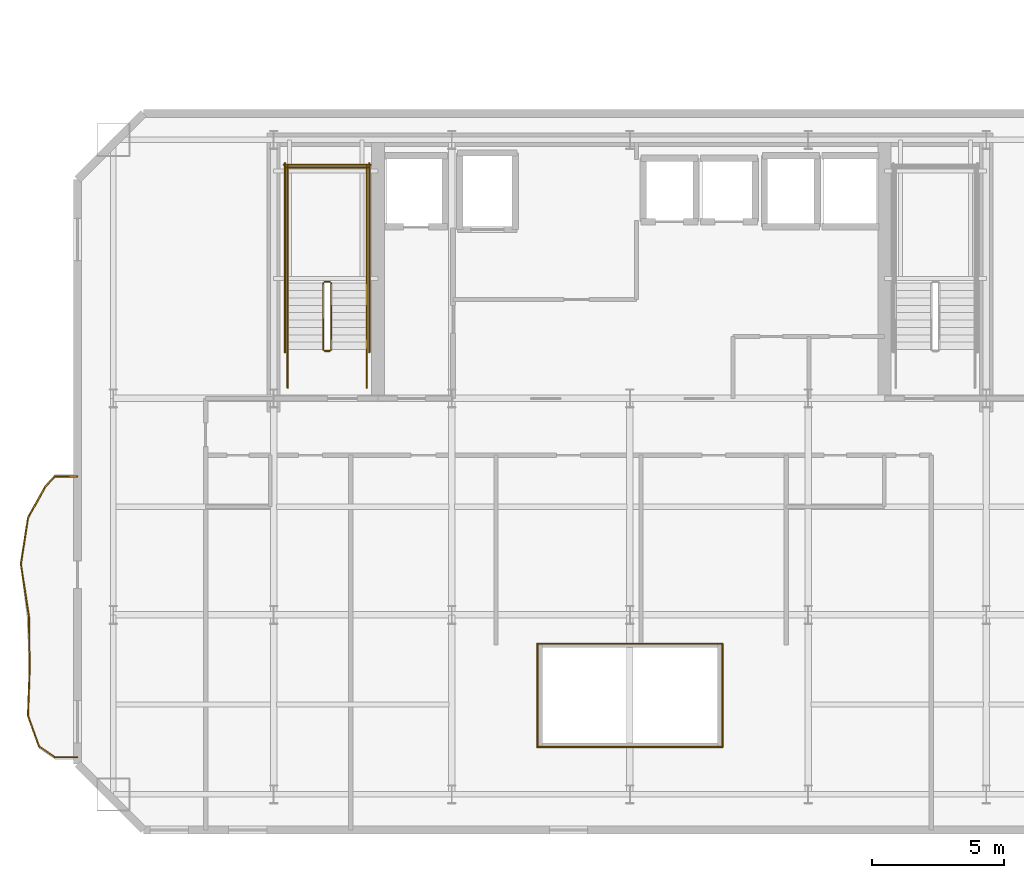
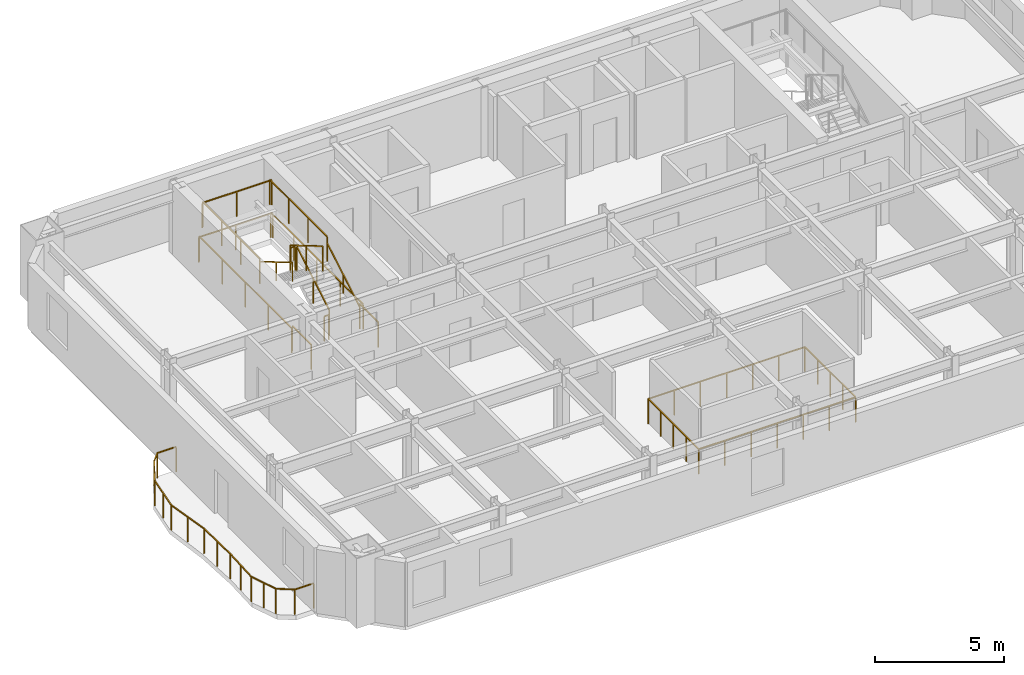
# One storey, part 10 of 13: 28 railings.
"""IFC4 building model written with IfcOpenShell, lengths in metres."""

from ifc_helpers import new_model, si_unit, direction, frame, origin, origin_2d, place, context, subcontext, project, spatial, rectangle, extrude, material, type_object, element, save


model = new_model("IFC4")

# Units and contexts
model_context = context("Model", 3, precision=1e-05, world=origin(), true_north=direction((0.0, 1.0)))
body_context = subcontext(model_context, "Body", "Model", "MODEL_VIEW")
ifc_project = project(units=[si_unit("LENGTHUNIT", "METRE"), si_unit("AREAUNIT", "SQUARE_METRE"), si_unit("VOLUMEUNIT", "CUBIC_METRE"), si_unit("PLANEANGLEUNIT", "RADIAN"), si_unit("MASSUNIT", "GRAM", prefix="KILO")], contexts=[model_context])

# Site, building, storey
site_placement = place(None, origin())
site = spatial("IfcSite", under=ifc_project, at=site_placement, CompositionType="ELEMENT")
building_placement = place(site_placement, origin())
building = spatial("IfcBuilding", under=site, at=building_placement, Name="Haevon Station Towers", CompositionType="ELEMENT")
storey_placement = place(building_placement, frame((0.0, 0.0, 159.300048828125)))
storey = spatial("IfcBuildingStorey", under=building, at=storey_placement, Name="L43", CompositionType="ELEMENT", Elevation=159.300048828125)

# Railings
ifc_material = material(Name="Steel S355", Category="steel")
railing_type_1 = type_object("IfcRailingType", Name="BAL-ATR1200", PredefinedType="BALUSTRADE", material=ifc_material)
railing_1_placement = place(storey_placement, frame((33.995361328125, 24.991455078125, 0.0)))
element("IfcRailing", 1, at=railing_1_placement, inside=storey, type_object=railing_type_1, Name="L43 Atrium Void Balustrade 1", PredefinedType="BALUSTRADE", context=body_context, shape_type="SweptSolid", body=[
    extrude(rectangle(XDim=0.048095703125, YDim=0.048095703125, at=origin_2d()), frame((0.0, 0.0, 1.17578125), z_axis=(1.0, 0.0, 0.0), x_axis=(0.0, 1.0, 0.0)), (0.0, 0.0, 1.0), 7.00927734375),
    extrude(rectangle(XDim=0.0419921875, YDim=0.0419921875, at=origin_2d()), origin(), (0.0, 0.0, 1.0), 1.15185546875),
    extrude(rectangle(XDim=0.0419921875, YDim=0.0419921875, at=origin_2d()), frame((1.168212890625, 0.0, 0.0)), (0.0, 0.0, 1.0), 1.15185546875),
    extrude(rectangle(XDim=0.0419921875, YDim=0.0419921875, at=origin_2d()), frame((2.33642578125, 0.0, 0.0)), (0.0, 0.0, 1.0), 1.15185546875),
    extrude(rectangle(XDim=0.0419921875, YDim=0.0419921875, at=origin_2d()), frame((3.504638671875, 0.0, 0.0)), (0.0, 0.0, 1.0), 1.15185546875),
    extrude(rectangle(XDim=0.0419921875, YDim=0.0419921875, at=origin_2d()), frame((4.6728515625, 0.0, 0.0)), (0.0, 0.0, 1.0), 1.15185546875),
    extrude(rectangle(XDim=0.0419921875, YDim=0.0419921875, at=origin_2d()), frame((5.841064453125, 0.0, 0.0)), (0.0, 0.0, 1.0), 1.15185546875),
    extrude(rectangle(XDim=0.0419921875, YDim=0.0419921875, at=origin_2d()), frame((7.00927734375, 0.0, 0.0)), (0.0, 0.0, 1.0), 1.15185546875),
])
railing_2_placement = place(storey_placement, frame((41.004638671875, 24.991455078125, 0.0)))
element("IfcRailing", 2, at=railing_2_placement, inside=storey, type_object=railing_type_1, Name="L43 Atrium Void Balustrade 2", PredefinedType="BALUSTRADE", context=body_context, shape_type="SweptSolid", body=[
    extrude(rectangle(XDim=0.048095703125, YDim=0.048095703125, at=origin_2d()), frame((0.0, 0.0, 1.17578125), z_axis=(0.0, 1.0, 0.0), x_axis=(-1.0, 0.0, 0.0)), (0.0, 0.0, 1.0), 3.9169921875),
    extrude(rectangle(XDim=0.0419921875, YDim=0.0419921875, at=origin_2d()), origin(), (0.0, 0.0, 1.0), 1.15185546875),
    extrude(rectangle(XDim=0.0419921875, YDim=0.0419921875, at=origin_2d()), frame((0.0, 0.979248046875, 0.0)), (0.0, 0.0, 1.0), 1.15185546875),
    extrude(rectangle(XDim=0.0419921875, YDim=0.0419921875, at=origin_2d()), frame((0.0, 1.95849609375, 0.0)), (0.0, 0.0, 1.0), 1.15185546875),
    extrude(rectangle(XDim=0.0419921875, YDim=0.0419921875, at=origin_2d()), frame((0.0, 2.937744140625, 0.0)), (0.0, 0.0, 1.0), 1.15185546875),
    extrude(rectangle(XDim=0.0419921875, YDim=0.0419921875, at=origin_2d()), frame((0.0, 3.9169921875, 0.0)), (0.0, 0.0, 1.0), 1.15185546875),
])
railing_3_placement = place(storey_placement, frame((41.004638671875, 28.908447265625, 0.0)))
element("IfcRailing", 3, at=railing_3_placement, inside=storey, type_object=railing_type_1, Name="L43 Atrium Void Balustrade 3", PredefinedType="BALUSTRADE", context=body_context, shape_type="SweptSolid", body=[
    extrude(rectangle(XDim=0.048095703125, YDim=0.048095703125, at=origin_2d()), frame((0.0, 0.0, 1.17578125), z_axis=(-1.0, 0.0, 0.0), x_axis=(0.0, -1.0, 0.0)), (0.0, 0.0, 1.0), 7.00927734375),
    extrude(rectangle(XDim=0.0419921875, YDim=0.0419921875, at=origin_2d()), origin(), (0.0, 0.0, 1.0), 1.15185546875),
    extrude(rectangle(XDim=0.0419921875, YDim=0.0419921875, at=origin_2d()), frame((-1.168212890625, 0.0, 0.0)), (0.0, 0.0, 1.0), 1.15185546875),
    extrude(rectangle(XDim=0.0419921875, YDim=0.0419921875, at=origin_2d()), frame((-2.33642578125, 0.0, 0.0)), (0.0, 0.0, 1.0), 1.15185546875),
    extrude(rectangle(XDim=0.0419921875, YDim=0.0419921875, at=origin_2d()), frame((-3.504638671875, 0.0, 0.0)), (0.0, 0.0, 1.0), 1.15185546875),
    extrude(rectangle(XDim=0.0419921875, YDim=0.0419921875, at=origin_2d()), frame((-4.6728515625, 0.0, 0.0)), (0.0, 0.0, 1.0), 1.15185546875),
    extrude(rectangle(XDim=0.0419921875, YDim=0.0419921875, at=origin_2d()), frame((-5.841064453125, 0.0, 0.0)), (0.0, 0.0, 1.0), 1.15185546875),
    extrude(rectangle(XDim=0.0419921875, YDim=0.0419921875, at=origin_2d()), frame((-7.00927734375, 0.0, 0.0)), (0.0, 0.0, 1.0), 1.15185546875),
])
railing_4_placement = place(storey_placement, frame((33.995361328125, 28.908447265625, 0.0)))
element("IfcRailing", 4, at=railing_4_placement, inside=storey, type_object=railing_type_1, Name="L43 Atrium Void Balustrade 4", PredefinedType="BALUSTRADE", context=body_context, shape_type="SweptSolid", body=[
    extrude(rectangle(XDim=0.048095703125, YDim=0.048095703125, at=origin_2d()), frame((0.0, 0.0, 1.17578125), z_axis=(0.0, -1.0, 0.0), x_axis=(1.0, 0.0, 0.0)), (0.0, 0.0, 1.0), 3.9169921875),
    extrude(rectangle(XDim=0.0419921875, YDim=0.0419921875, at=origin_2d()), origin(), (0.0, 0.0, 1.0), 1.15185546875),
    extrude(rectangle(XDim=0.0419921875, YDim=0.0419921875, at=origin_2d()), frame((0.0, -0.979248046875, 0.0)), (0.0, 0.0, 1.0), 1.15185546875),
    extrude(rectangle(XDim=0.0419921875, YDim=0.0419921875, at=origin_2d()), frame((0.0, -1.95849609375, 0.0)), (0.0, 0.0, 1.0), 1.15185546875),
    extrude(rectangle(XDim=0.0419921875, YDim=0.0419921875, at=origin_2d()), frame((0.0, -2.937744140625, 0.0)), (0.0, 0.0, 1.0), 1.15185546875),
    extrude(rectangle(XDim=0.0419921875, YDim=0.0419921875, at=origin_2d()), frame((0.0, -3.9169921875, 0.0)), (0.0, 0.0, 1.0), 1.15185546875),
])
railing_type_2 = type_object("IfcRailingType", Name="GRD-EXT1200", PredefinedType="GUARDRAIL", material=ifc_material)
railing_5_placement = place(storey_placement, frame((16.551513671875, 35.2470703125, 0.0)))
element("IfcRailing", 5, at=railing_5_placement, inside=storey, type_object=railing_type_2, Name="L43 Perimeter Guardrail 1", PredefinedType="GUARDRAIL", context=body_context, shape_type="SweptSolid", body=[
    extrude(rectangle(XDim=0.048095703125, YDim=0.048095703125, at=origin_2d()), frame((0.0, 0.0, 1.17578125), z_axis=(-0.999997919967, -0.002039622797, 0.0), x_axis=(0.002039622797, -0.999997919967, 0.0)), (0.0, 0.0, 1.0), 0.837890625),
    extrude(rectangle(XDim=0.0419921875, YDim=0.0419921875, at=origin_2d()), origin(), (0.0, 0.0, 1.0), 1.15185546875),
    extrude(rectangle(XDim=0.0419921875, YDim=0.0419921875, at=origin_2d()), frame((-0.837890625, -0.001708984375, 0.0)), (0.0, 0.0, 1.0), 1.15185546875),
])
railing_6_placement = place(storey_placement, frame((15.713623046875, 35.245361328125, 0.0)))
element("IfcRailing", 6, at=railing_6_placement, inside=storey, type_object=railing_type_2, Name="L43 Perimeter Guardrail 2", PredefinedType="GUARDRAIL", context=body_context, shape_type="SweptSolid", body=[
    extrude(rectangle(XDim=0.048095703125, YDim=0.048095703125, at=origin_2d()), frame((0.0, 0.0, 1.17578125), z_axis=(-0.676061194254, -0.736845480154, 0.0), x_axis=(0.736845480154, -0.676061194254, 0.0)), (0.0, 0.0, 1.0), 0.558349609375),
    extrude(rectangle(XDim=0.0419921875, YDim=0.0419921875, at=origin_2d()), origin(), (0.0, 0.0, 1.0), 1.15185546875),
    extrude(rectangle(XDim=0.0419921875, YDim=0.0419921875, at=origin_2d()), frame((-0.37744140625, -0.411376953125, 0.0)), (0.0, 0.0, 1.0), 1.15185546875),
])
railing_7_placement = place(storey_placement, frame((15.336181640625, 34.833984375, 0.0)))
element("IfcRailing", 7, at=railing_7_placement, inside=storey, type_object=railing_type_2, Name="L43 Perimeter Guardrail 3", PredefinedType="GUARDRAIL", context=body_context, shape_type="SweptSolid", body=[
    extrude(rectangle(XDim=0.048095703125, YDim=0.048095703125, at=origin_2d()), frame((0.0, 0.0, 1.17578125), z_axis=(-0.483314021396, -0.875447061062, 0.0), x_axis=(0.875447061062, -0.483314021396, 0.0)), (0.0, 0.0, 1.0), 1.336181640625),
    extrude(rectangle(XDim=0.0419921875, YDim=0.0419921875, at=origin_2d()), origin(), (0.0, 0.0, 1.0), 1.15185546875),
    extrude(rectangle(XDim=0.0419921875, YDim=0.0419921875, at=origin_2d()), frame((-0.32275390625, -0.5849609375, 0.0)), (0.0, 0.0, 1.0), 1.15185546875),
    extrude(rectangle(XDim=0.0419921875, YDim=0.0419921875, at=origin_2d()), frame((-0.645751953125, -1.169677734375, 0.0)), (0.0, 0.0, 1.0), 1.15185546875),
])
railing_8_placement = place(storey_placement, frame((14.6904296875, 33.664306640625, 0.0)))
element("IfcRailing", 8, at=railing_8_placement, inside=storey, type_object=railing_type_2, Name="L43 Perimeter Guardrail 4", PredefinedType="GUARDRAIL", context=body_context, shape_type="SweptSolid", body=[
    extrude(rectangle(XDim=0.048095703125, YDim=0.048095703125, at=origin_2d()), frame((0.0, 0.0, 1.17578125), z_axis=(-0.151319853564, -0.988484851638, 0.0), x_axis=(0.988484851638, -0.151319853564, 0.0)), (0.0, 0.0, 1.0), 1.7666015625),
    extrude(rectangle(XDim=0.0419921875, YDim=0.0419921875, at=origin_2d()), origin(), (0.0, 0.0, 1.0), 1.15185546875),
    extrude(rectangle(XDim=0.0419921875, YDim=0.0419921875, at=origin_2d()), frame((-0.1337890625, -0.873046875, 0.0)), (0.0, 0.0, 1.0), 1.15185546875),
    extrude(rectangle(XDim=0.0419921875, YDim=0.0419921875, at=origin_2d()), frame((-0.267333984375, -1.746337890625, 0.0)), (0.0, 0.0, 1.0), 1.15185546875),
])
railing_9_placement = place(storey_placement, frame((14.423095703125, 31.91796875, 0.0)))
element("IfcRailing", 9, at=railing_9_placement, inside=storey, type_object=railing_type_2, Name="L43 Perimeter Guardrail 5", PredefinedType="GUARDRAIL", context=body_context, shape_type="SweptSolid", body=[
    extrude(rectangle(XDim=0.048095703125, YDim=0.048095703125, at=origin_2d()), frame((0.0, 0.0, 1.17578125), z_axis=(0.151957098887, -0.988387090212, 0.0), x_axis=(0.988387090212, 0.151957098887, 0.0)), (0.0, 0.0, 1.0), 2.016357421875),
    extrude(rectangle(XDim=0.0419921875, YDim=0.0419921875, at=origin_2d()), origin(), (0.0, 0.0, 1.0), 1.15185546875),
    extrude(rectangle(XDim=0.0419921875, YDim=0.0419921875, at=origin_2d()), frame((0.1533203125, -0.99658203125, 0.0)), (0.0, 0.0, 1.0), 1.15185546875),
    extrude(rectangle(XDim=0.0419921875, YDim=0.0419921875, at=origin_2d()), frame((0.306396484375, -1.992919921875, 0.0)), (0.0, 0.0, 1.0), 1.15185546875),
])
railing_10_placement = place(storey_placement, frame((14.7294921875, 29.925048828125, 0.0)))
element("IfcRailing", 10, at=railing_10_placement, inside=storey, type_object=railing_type_2, Name="L43 Perimeter Guardrail 6", PredefinedType="GUARDRAIL", context=body_context, shape_type="SweptSolid", body=[
    extrude(rectangle(XDim=0.048095703125, YDim=0.048095703125, at=origin_2d()), frame((0.0, 0.0, 1.17578125), z_axis=(0.01276282884, -0.999918551783, 0.0), x_axis=(0.999918551783, 0.01276282884, 0.0)), (0.0, 0.0, 1.0), 1.989501953125),
    extrude(rectangle(XDim=0.0419921875, YDim=0.0419921875, at=origin_2d()), origin(), (0.0, 0.0, 1.0), 1.15185546875),
    extrude(rectangle(XDim=0.0419921875, YDim=0.0419921875, at=origin_2d()), frame((0.0126953125, -0.99462890625, 0.0)), (0.0, 0.0, 1.0), 1.15185546875),
    extrude(rectangle(XDim=0.0419921875, YDim=0.0419921875, at=origin_2d()), frame((0.025390625, -1.9892578125, 0.0)), (0.0, 0.0, 1.0), 1.15185546875),
])
railing_11_placement = place(storey_placement, frame((14.7548828125, 27.935791015625, 0.0)))
element("IfcRailing", 11, at=railing_11_placement, inside=storey, type_object=railing_type_2, Name="L43 Perimeter Guardrail 7", PredefinedType="GUARDRAIL", context=body_context, shape_type="SweptSolid", body=[
    extrude(rectangle(XDim=0.048095703125, YDim=0.048095703125, at=origin_2d()), frame((0.0, 0.0, 1.17578125), z_axis=(-0.036800275781, -0.999322640443, 0.0), x_axis=(0.999322640443, -0.036800275781, 0.0)), (0.0, 0.0, 1.0), 1.75146484375),
    extrude(rectangle(XDim=0.0419921875, YDim=0.0419921875, at=origin_2d()), origin(), (0.0, 0.0, 1.0), 1.15185546875),
    extrude(rectangle(XDim=0.0419921875, YDim=0.0419921875, at=origin_2d()), frame((-0.0322265625, -0.875, 0.0)), (0.0, 0.0, 1.0), 1.15185546875),
    extrude(rectangle(XDim=0.0419921875, YDim=0.0419921875, at=origin_2d()), frame((-0.064453125, -1.750244140625, 0.0)), (0.0, 0.0, 1.0), 1.15185546875),
])
railing_12_placement = place(storey_placement, frame((14.6904296875, 26.185546875, 0.0)))
element("IfcRailing", 12, at=railing_12_placement, inside=storey, type_object=railing_type_2, Name="L43 Perimeter Guardrail 8", PredefinedType="GUARDRAIL", context=body_context, shape_type="SweptSolid", body=[
    extrude(rectangle(XDim=0.048095703125, YDim=0.048095703125, at=origin_2d()), frame((0.0, 0.0, 1.17578125), z_axis=(0.337431724069, -0.941350004829, 0.0), x_axis=(0.941350004829, 0.337431724069, 0.0)), (0.0, 0.0, 1.0), 1.2421875),
    extrude(rectangle(XDim=0.0419921875, YDim=0.0419921875, at=origin_2d()), origin(), (0.0, 0.0, 1.0), 1.15185546875),
    extrude(rectangle(XDim=0.0419921875, YDim=0.0419921875, at=origin_2d()), frame((0.20947265625, -0.584716796875, 0.0)), (0.0, 0.0, 1.0), 1.15185546875),
    extrude(rectangle(XDim=0.0419921875, YDim=0.0419921875, at=origin_2d()), frame((0.419189453125, -1.16943359375, 0.0)), (0.0, 0.0, 1.0), 1.15185546875),
])
railing_13_placement = place(storey_placement, frame((15.109619140625, 25.01611328125, 0.0)))
element("IfcRailing", 13, at=railing_13_placement, inside=storey, type_object=railing_type_2, Name="L43 Perimeter Guardrail 9", PredefinedType="GUARDRAIL", context=body_context, shape_type="SweptSolid", body=[
    extrude(rectangle(XDim=0.048095703125, YDim=0.048095703125, at=origin_2d()), frame((0.0, 0.0, 1.17578125), z_axis=(0.826509956725, -0.56292210068, 0.0), x_axis=(0.56292210068, 0.826509956725, 0.0)), (0.0, 0.0, 1.0), 0.730712890625),
    extrude(rectangle(XDim=0.0419921875, YDim=0.0419921875, at=origin_2d()), origin(), (0.0, 0.0, 1.0), 1.15185546875),
    extrude(rectangle(XDim=0.0419921875, YDim=0.0419921875, at=origin_2d()), frame((0.60400390625, -0.411376953125, 0.0)), (0.0, 0.0, 1.0), 1.15185546875),
])
railing_14_placement = place(storey_placement, frame((15.713623046875, 24.604736328125, 0.0)))
element("IfcRailing", 14, at=railing_14_placement, inside=storey, type_object=railing_type_2, Name="L43 Perimeter Guardrail 10", PredefinedType="GUARDRAIL", context=body_context, shape_type="SweptSolid", body=[
    extrude(rectangle(XDim=0.048095703125, YDim=0.048095703125, at=origin_2d()), frame((0.0, 0.0, 1.17578125), z_axis=(0.999997283225, -0.002330995998, 0.0), x_axis=(0.002330995998, 0.999997283225, 0.0)), (0.0, 0.0, 1.0), 0.837890625),
    extrude(rectangle(XDim=0.0419921875, YDim=0.0419921875, at=origin_2d()), origin(), (0.0, 0.0, 1.0), 1.15185546875),
    extrude(rectangle(XDim=0.0419921875, YDim=0.0419921875, at=origin_2d()), frame((0.837890625, -0.001953125, 0.0)), (0.0, 0.0, 1.0), 1.15185546875),
])
railing_type_3 = type_object("IfcRailingType", Name="GRD-STR1200", PredefinedType="GUARDRAIL", material=ifc_material)
railing_15_placement = place(storey_placement, frame((26.179931640625, 40.050048828125, 0.1650390625)))
element("IfcRailing", 15, at=railing_15_placement, inside=storey, type_object=railing_type_3, Name="L43 ST1 Stair Guard 1", PredefinedType="GUARDRAIL", context=body_context, shape_type="SweptSolid", body=[
    extrude(rectangle(XDim=0.048095703125, YDim=0.048095703125, at=origin_2d()), frame((0.0, 0.0, 1.17578125), z_axis=(0.0, 0.861560626758, 0.507654692109), x_axis=(-1.0, 0.0, 0.0)), (0.0, 0.0, 1.0), 2.925048828125),
    extrude(rectangle(XDim=0.0419921875, YDim=0.0419921875, at=origin_2d()), origin(), (0.0, 0.0, 1.0), 1.15185546875),
    extrude(rectangle(XDim=0.0419921875, YDim=0.0419921875, at=origin_2d()), frame((0.0, 1.260009765625, 0.742431640625)), (0.0, 0.0, 1.0), 1.15185546875),
    extrude(rectangle(XDim=0.0419921875, YDim=0.0419921875, at=origin_2d()), frame((0.0, 2.52001953125, 1.48486328125)), (0.0, 0.0, 1.0), 1.15185546875),
])
railing_16_placement = place(storey_placement, frame((26.1298828125, 42.6201171875, 1.64990234375)))
element("IfcRailing", 16, at=railing_16_placement, inside=storey, type_object=railing_type_3, Name="L43 ST1 Stair Guard 2", PredefinedType="GUARDRAIL", context=body_context, shape_type="SweptSolid", body=[
    extrude(rectangle(XDim=0.048095703125, YDim=0.048095703125, at=origin_2d()), frame((0.0, 0.0, 1.17578125), z_axis=(-1.0, 0.0, 0.0), x_axis=(0.0, -1.0, 0.0)), (0.0, 0.0, 1.0), 0.199951171875),
    extrude(rectangle(XDim=0.0419921875, YDim=0.0419921875, at=origin_2d()), origin(), (0.0, 0.0, 1.0), 1.15185546875),
    extrude(rectangle(XDim=0.0419921875, YDim=0.0419921875, at=origin_2d()), frame((-0.199951171875, 0.0, 0.0)), (0.0, 0.0, 1.0), 1.15185546875),
])
for number, where, name in (
    (17, (27.530029296875, 42.570068359375, 1.64990234375), "L43 ST1 Stair Guard 3"),
    (18, (24.530029296875, 42.570068359375, 1.64990234375), "L43 ST1 Stair Guard 4"),
):
    element("IfcRailing", number, at=place(storey_placement, frame(where)), inside=storey, type_object=railing_type_3, Name=name, PredefinedType="GUARDRAIL", context=body_context, shape_type="SweptSolid", body=[
        extrude(rectangle(XDim=0.048095703125, YDim=0.048095703125, at=origin_2d()), frame((0.0, 0.0, 1.17578125), z_axis=(0.0, 1.0, 0.0), x_axis=(-1.0, 0.0, 0.0)), (0.0, 0.0, 1.0), 4.429931640625),
        extrude(rectangle(XDim=0.0419921875, YDim=0.0419921875, at=origin_2d()), origin(), (0.0, 0.0, 1.0), 1.15185546875),
        extrude(rectangle(XDim=0.0419921875, YDim=0.0419921875, at=origin_2d()), frame((0.0, 1.4765625, 0.0)), (0.0, 0.0, 1.0), 1.15185546875),
        extrude(rectangle(XDim=0.0419921875, YDim=0.0419921875, at=origin_2d()), frame((0.0, 2.953369140625, 0.0)), (0.0, 0.0, 1.0), 1.15185546875),
        extrude(rectangle(XDim=0.0419921875, YDim=0.0419921875, at=origin_2d()), frame((0.0, 4.429931640625, 0.0)), (0.0, 0.0, 1.0), 1.15185546875),
    ])
railing_17_placement = place(storey_placement, frame((27.580078125, 46.949951171875, 1.64990234375)))
element("IfcRailing", 19, at=railing_17_placement, inside=storey, type_object=railing_type_3, Name="L43 ST1 Stair Guard 5", PredefinedType="GUARDRAIL", context=body_context, shape_type="SweptSolid", body=[
    extrude(rectangle(XDim=0.048095703125, YDim=0.048095703125, at=origin_2d()), frame((0.0, 0.0, 1.17578125), z_axis=(-1.0, 0.0, 0.0), x_axis=(0.0, -1.0, 0.0)), (0.0, 0.0, 1.0), 3.10009765625),
    extrude(rectangle(XDim=0.0419921875, YDim=0.0419921875, at=origin_2d()), origin(), (0.0, 0.0, 1.0), 1.15185546875),
    extrude(rectangle(XDim=0.0419921875, YDim=0.0419921875, at=origin_2d()), frame((-1.550048828125, 0.0, 0.0)), (0.0, 0.0, 1.0), 1.15185546875),
    extrude(rectangle(XDim=0.0419921875, YDim=0.0419921875, at=origin_2d()), frame((-3.10009765625, 0.0, 0.0)), (0.0, 0.0, 1.0), 1.15185546875),
])
railing_18_placement = place(storey_placement, frame((25.8798828125, 42.570068359375, 1.81494140625)))
element("IfcRailing", 20, at=railing_18_placement, inside=storey, type_object=railing_type_3, Name="L43 ST1 Stair Guard 6", PredefinedType="GUARDRAIL", context=body_context, shape_type="SweptSolid", body=[
    extrude(rectangle(XDim=0.048095703125, YDim=0.048095703125, at=origin_2d()), frame((0.0, 0.0, 1.17578125), z_axis=(0.0, -0.86152411907, 0.507716645641), x_axis=(1.0, 0.0, 0.0)), (0.0, 0.0, 1.0), 2.925048828125),
    extrude(rectangle(XDim=0.0419921875, YDim=0.0419921875, at=origin_2d()), origin(), (0.0, 0.0, 1.0), 1.15185546875),
    extrude(rectangle(XDim=0.0419921875, YDim=0.0419921875, at=origin_2d()), frame((0.0, -1.260009765625, 0.74267578125)), (0.0, 0.0, 1.0), 1.15185546875),
    extrude(rectangle(XDim=0.0419921875, YDim=0.0419921875, at=origin_2d()), frame((0.0, -2.52001953125, 1.485107421875)), (0.0, 0.0, 1.0), 1.15185546875),
])
railing_19_placement = place(storey_placement, frame((26.1298828125, 40.0, 0.0)))
element("IfcRailing", 21, at=railing_19_placement, inside=storey, type_object=railing_type_3, Name="L43 ST1 Stair Guard 7", PredefinedType="GUARDRAIL", context=body_context, shape_type="SweptSolid", body=[
    extrude(rectangle(XDim=0.048095703125, YDim=0.048095703125, at=origin_2d()), frame((0.0, 0.0, 1.17578125), z_axis=(-1.0, 0.0, 0.0), x_axis=(0.0, -1.0, 0.0)), (0.0, 0.0, 1.0), 0.199951171875),
    extrude(rectangle(XDim=0.0419921875, YDim=0.0419921875, at=origin_2d()), origin(), (0.0, 0.0, 1.0), 1.15185546875),
    extrude(rectangle(XDim=0.0419921875, YDim=0.0419921875, at=origin_2d()), frame((-0.199951171875, 0.0, 0.0)), (0.0, 0.0, 1.0), 1.15185546875),
])
for number, where, name in (
    (22, (27.530029296875, 38.60009765625, 0.0), "L43 ST1 Stair Guard 8"),
    (23, (24.530029296875, 38.60009765625, 0.0), "L43 ST1 Stair Guard 9"),
):
    element("IfcRailing", number, at=place(storey_placement, frame(where)), inside=storey, type_object=railing_type_3, Name=name, PredefinedType="GUARDRAIL", context=body_context, shape_type="SweptSolid", body=[
        extrude(rectangle(XDim=0.048095703125, YDim=0.048095703125, at=origin_2d()), frame((0.0, 0.0, 1.17578125), z_axis=(0.0, 1.0, 0.0), x_axis=(-1.0, 0.0, 0.0)), (0.0, 0.0, 1.0), 1.449951171875),
        extrude(rectangle(XDim=0.0419921875, YDim=0.0419921875, at=origin_2d()), origin(), (0.0, 0.0, 1.0), 1.15185546875),
        extrude(rectangle(XDim=0.0419921875, YDim=0.0419921875, at=origin_2d()), frame((0.0, 1.449951171875, 0.0)), (0.0, 0.0, 1.0), 1.15185546875),
    ])
for number, where, name in (
    (24, (27.6298828125, 39.949951171875, 0.0), "L43 ST1 Stair Guard 10"),
    (25, (24.429931640625, 39.949951171875, 0.0), "L43 ST1 Stair Guard 11"),
):
    element("IfcRailing", number, at=place(storey_placement, frame(where)), inside=storey, type_object=railing_type_3, Name=name, PredefinedType="GUARDRAIL", context=body_context, shape_type="SweptSolid", body=[
        extrude(rectangle(XDim=0.048095703125, YDim=0.048095703125, at=origin_2d()), frame((0.0, 0.0, 1.17578125), z_axis=(0.0, 1.0, 0.0), x_axis=(-1.0, 0.0, 0.0)), (0.0, 0.0, 1.0), 7.150146484375),
        extrude(rectangle(XDim=0.0419921875, YDim=0.0419921875, at=origin_2d()), origin(), (0.0, 0.0, 1.0), 1.15185546875),
        extrude(rectangle(XDim=0.0419921875, YDim=0.0419921875, at=origin_2d()), frame((0.0, 1.78759765625, 0.0)), (0.0, 0.0, 1.0), 1.15185546875),
        extrude(rectangle(XDim=0.0419921875, YDim=0.0419921875, at=origin_2d()), frame((0.0, 3.5751953125, 0.0)), (0.0, 0.0, 1.0), 1.15185546875),
        extrude(rectangle(XDim=0.0419921875, YDim=0.0419921875, at=origin_2d()), frame((0.0, 5.362548828125, 0.0)), (0.0, 0.0, 1.0), 1.15185546875),
        extrude(rectangle(XDim=0.0419921875, YDim=0.0419921875, at=origin_2d()), frame((0.0, 7.150146484375, 0.0)), (0.0, 0.0, 1.0), 1.15185546875),
    ])
railing_20_placement = place(storey_placement, frame((27.679931640625, 47.050048828125, 0.0)))
element("IfcRailing", 26, at=railing_20_placement, inside=storey, type_object=railing_type_3, Name="L43 ST1 Stair Guard 12", PredefinedType="GUARDRAIL", context=body_context, shape_type="SweptSolid", body=[
    extrude(rectangle(XDim=0.048095703125, YDim=0.048095703125, at=origin_2d()), frame((0.0, 0.0, 1.17578125), z_axis=(-1.0, 0.0, 0.0), x_axis=(0.0, -1.0, 0.0)), (0.0, 0.0, 1.0), 3.300048828125),
    extrude(rectangle(XDim=0.0419921875, YDim=0.0419921875, at=origin_2d()), origin(), (0.0, 0.0, 1.0), 1.15185546875),
    extrude(rectangle(XDim=0.0419921875, YDim=0.0419921875, at=origin_2d()), frame((-1.64990234375, 0.0, 0.0)), (0.0, 0.0, 1.0), 1.15185546875),
    extrude(rectangle(XDim=0.0419921875, YDim=0.0419921875, at=origin_2d()), frame((-3.300048828125, 0.0, 0.0)), (0.0, 0.0, 1.0), 1.15185546875),
])
railing_type_4 = type_object("IfcRailingType", Name="HND-STR900", PredefinedType="HANDRAIL", material=ifc_material)
railing_21_placement = place(storey_placement, frame((27.530029296875, 40.050048828125, 0.1650390625)))
element("IfcRailing", 27, at=railing_21_placement, inside=storey, type_object=railing_type_4, Name="L43 ST1 Stair Handrail 1", PredefinedType="HANDRAIL", context=body_context, shape_type="SweptSolid", body=[
    extrude(rectangle(XDim=0.048095703125, YDim=0.048095703125, at=origin_2d()), frame((0.0, 0.0, 0.8759765625), z_axis=(0.0, 0.861560626758, 0.507654692109), x_axis=(-1.0, 0.0, 0.0)), (0.0, 0.0, 1.0), 2.925048828125),
    extrude(rectangle(XDim=0.0419921875, YDim=0.0419921875, at=origin_2d()), origin(), (0.0, 0.0, 1.0), 0.851806640625),
    extrude(rectangle(XDim=0.0419921875, YDim=0.0419921875, at=origin_2d()), frame((0.0, 1.260009765625, 0.742431640625)), (0.0, 0.0, 1.0), 0.851806640625),
    extrude(rectangle(XDim=0.0419921875, YDim=0.0419921875, at=origin_2d()), frame((0.0, 2.52001953125, 1.48486328125)), (0.0, 0.0, 1.0), 0.851806640625),
])
railing_22_placement = place(storey_placement, frame((24.530029296875, 42.570068359375, 1.81494140625)))
element("IfcRailing", 28, at=railing_22_placement, inside=storey, type_object=railing_type_4, Name="L43 ST1 Stair Handrail 2", PredefinedType="HANDRAIL", context=body_context, shape_type="SweptSolid", body=[
    extrude(rectangle(XDim=0.048095703125, YDim=0.048095703125, at=origin_2d()), frame((0.0, 0.0, 0.8759765625), z_axis=(0.0, -0.86152411907, 0.507716645641), x_axis=(1.0, 0.0, 0.0)), (0.0, 0.0, 1.0), 2.925048828125),
    extrude(rectangle(XDim=0.0419921875, YDim=0.0419921875, at=origin_2d()), origin(), (0.0, 0.0, 1.0), 0.851806640625),
    extrude(rectangle(XDim=0.0419921875, YDim=0.0419921875, at=origin_2d()), frame((0.0, -1.260009765625, 0.74267578125)), (0.0, 0.0, 1.0), 0.851806640625),
    extrude(rectangle(XDim=0.0419921875, YDim=0.0419921875, at=origin_2d()), frame((0.0, -2.52001953125, 1.485107421875)), (0.0, 0.0, 1.0), 0.851806640625),
])

save(model, "model.ifc")
